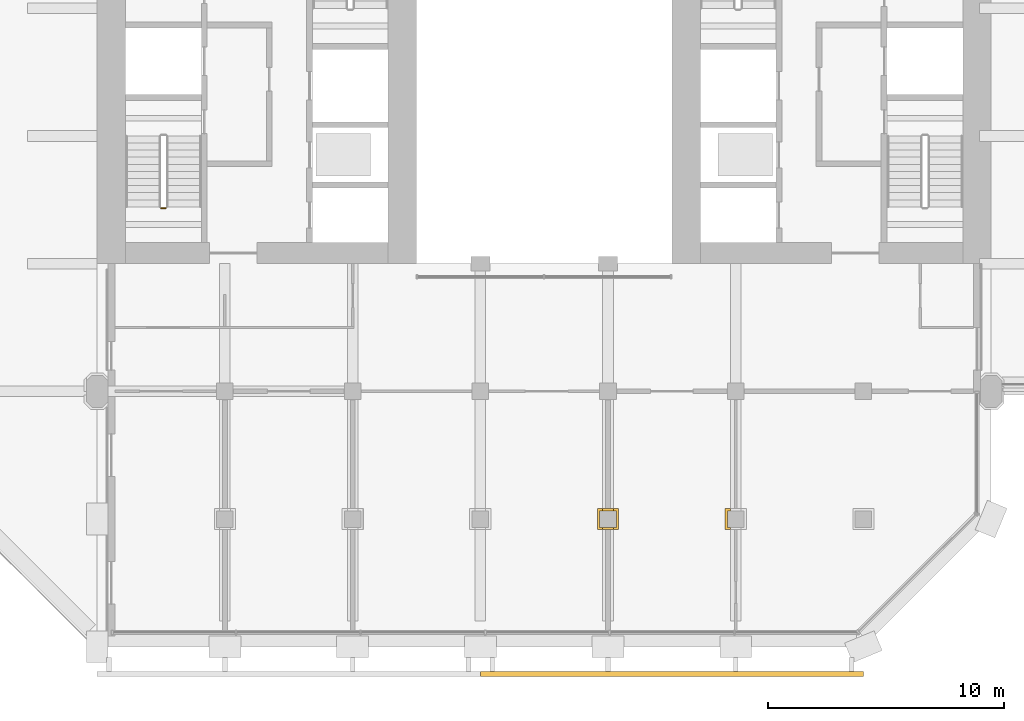
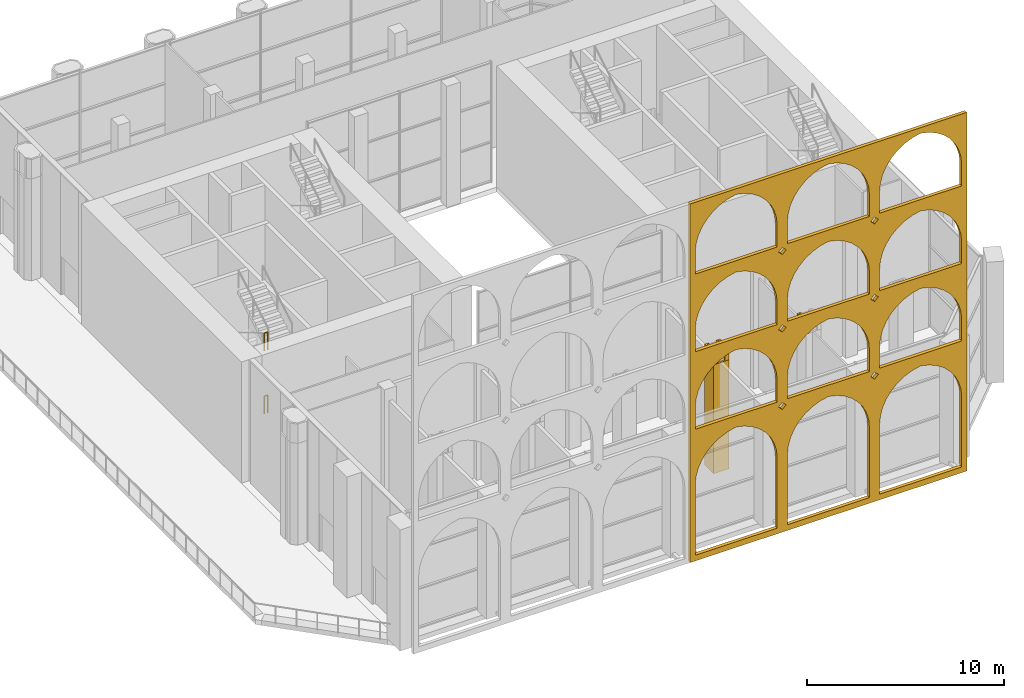
# One storey, part 14 of 20: 5 coverings, 2 railings.
"""IFC4 building model written with IfcOpenShell, lengths in metres."""

import ifcopenshell
import ifcopenshell.guid

model = None  # the IFC model being written
_history = None  # IfcOwnerHistory: only IFC2X3 demands one
_inside = {}  # id of a spatial element -> (the spatial element, [elements in it])
_under = {}  # id of a project, library or spatial element -> (it, [spatial elements below it])
_declared = {}  # id of a project -> (the project, [libraries it declares])
_typed = {}  # id of a type object -> (the type object, [elements of that type])
_made_of = {}  # id of a material, layer set ... -> (it, [elements and type objects made of it])


def new_model(schema):
    """Start an empty IFC model of exactly this schema.

    Asked for "IFC4X3", IfcOpenShell would pick the latest addendum, in which some entities
    have other attributes; the version numbers below select the first issue.
    IFC2X3 requires an IfcOwnerHistory on every rooted entity: one is made here for all.
    """
    global model, _history
    if schema == "IFC4X3":
        model = ifcopenshell.file(schema_version=(4, 3, 0, 0))
    else:
        model = ifcopenshell.file(schema=schema)
    _inside.clear()
    _under.clear()
    _declared.clear()
    _typed.clear()
    _made_of.clear()
    _history = None
    if model.schema == "IFC2X3":
        org = make("IfcOrganization", Name="unknown")
        user = make(
            "IfcPersonAndOrganization",
            ThePerson=make("IfcPerson", FamilyName="unknown"),
            TheOrganization=org,
        )
        app = make(
            "IfcApplication",
            ApplicationDeveloper=org,
            Version="unknown",
            ApplicationFullName="unknown",
            ApplicationIdentifier="unknown",
        )
        _history = make(
            "IfcOwnerHistory",
            OwningUser=user,
            OwningApplication=app,
            ChangeAction="ADDED",
            CreationDate=0,
        )
    return model


def make(cls, **values):
    """One entity of the class cls with the attributes given. An attribute that is None is left unset."""
    return model.create_entity(
        cls, **{name: value for name, value in values.items() if value is not None}
    )


def rooted(cls, **values):
    """An entity with a GlobalId (a new one), such as an element, a storey or a relation."""
    return make(cls, GlobalId=ifcopenshell.guid.new(), OwnerHistory=_history, **values)


def si_unit(unit_type, name, prefix=None):
    """IfcSIUnit, for example si_unit("LENGTHUNIT", "METRE", prefix="MILLI")."""
    return make("IfcSIUnit", UnitType=unit_type, Prefix=prefix, Name=name)


def assignment(units):
    """IfcUnitAssignment: the units of a project."""
    return None if units is None else make("IfcUnitAssignment", Units=units)


def point(xyz):
    """IfcCartesianPoint."""
    return None if xyz is None else make("IfcCartesianPoint", Coordinates=xyz)


def direction(xyz):
    """IfcDirection."""
    return None if xyz is None else make("IfcDirection", DirectionRatios=xyz)


def frame(location, z_axis=None, x_axis=None):
    """IfcAxis2Placement3D, a coordinate frame: its origin and axes. An axis left out is left unset."""
    return make(
        "IfcAxis2Placement3D",
        Location=point(location),
        Axis=direction(z_axis),
        RefDirection=direction(x_axis),
    )


def frame_2d(location, x_axis=None):
    """IfcAxis2Placement2D, a coordinate frame in the plane: its origin and x axis."""
    return make(
        "IfcAxis2Placement2D", Location=point(location), RefDirection=direction(x_axis)
    )


def origin():
    """The frame at (0, 0, 0) with its axes left unset."""
    return frame((0.0, 0.0, 0.0))


def origin_2d():
    """The frame at (0, 0) in the plane with its x axis left unset."""
    return frame_2d((0.0, 0.0))


def place(relative_to, where):
    """IfcLocalPlacement: puts the frame where relative to a parent placement (None: the world)."""
    return make(
        "IfcLocalPlacement", PlacementRelTo=relative_to, RelativePlacement=where
    )


def context(
    kind, dimensions, precision=None, world=None, true_north=None, identifier=None
):
    """IfcGeometricRepresentationContext, for example the 3D "Model" context."""
    return make(
        "IfcGeometricRepresentationContext",
        ContextIdentifier=identifier,
        ContextType=kind,
        CoordinateSpaceDimension=dimensions,
        Precision=precision,
        WorldCoordinateSystem=world,
        TrueNorth=true_north,
    )


def subcontext(parent, identifier, kind, view, scale=None):
    """IfcGeometricRepresentationSubContext, for example "Body" below "Model"."""
    return make(
        "IfcGeometricRepresentationSubContext",
        ContextIdentifier=identifier,
        ContextType=kind,
        ParentContext=parent,
        TargetScale=scale,
        TargetView=view,
    )


def project(units=None, contexts=None):
    """IfcProject with its units and contexts."""
    return rooted(
        "IfcProject",
        Name="project",
        RepresentationContexts=contexts,
        UnitsInContext=assignment(units),
    )


def spatial(cls, under=None, at=None, **own):
    """A site, building, storey or space (cls), placed at a placement, below another one or the project."""
    s = rooted(cls, ObjectPlacement=at, **own)
    if under is not None:
        _under.setdefault(under.id(), (under, []))[1].append(s)
    return s


def polyline(points):
    """IfcPolyline through the points."""
    return make("IfcPolyline", Points=[point(p) for p in points])


def profile(cls, at=None, kind="AREA", **sizes):
    """A parametric profile (cls). Its sizes go by their IFC names, for example OverallWidth=200.0."""
    return make(cls, ProfileType=kind, Position=at, **sizes)


def circle(**sizes):
    """IfcCircleProfileDef."""
    return profile("IfcCircleProfileDef", **sizes)


def outline(outer, holes=None, kind="AREA"):
    """IfcArbitraryClosedProfileDef: a profile drawn as a closed curve; with holes, ...WithVoids."""
    if holes is None:
        return make("IfcArbitraryClosedProfileDef", ProfileType=kind, OuterCurve=outer)
    return make(
        "IfcArbitraryProfileDefWithVoids",
        ProfileType=kind,
        OuterCurve=outer,
        InnerCurves=holes,
    )


def extrude(swept, where, along, depth):
    """IfcExtrudedAreaSolid: the profile swept, set in the frame where, extruded along a direction by depth."""
    return make(
        "IfcExtrudedAreaSolid",
        SweptArea=swept,
        Position=where,
        ExtrudedDirection=direction(along),
        Depth=depth,
    )


def shape(context_of_items, identifier, shape_type, items):
    """IfcShapeRepresentation: the items that make up one representation, for example the "Body"."""
    return make(
        "IfcShapeRepresentation",
        ContextOfItems=context_of_items,
        RepresentationIdentifier=identifier,
        RepresentationType=shape_type,
        Items=items,
    )


def material(Name=None, Category=None):
    """IfcMaterial."""
    return make("IfcMaterial", Name=Name, Category=Category)


def layer(
    of_material, thickness, ventilated=None, Name=None, Category=None, Priority=None
):
    """IfcMaterialLayer: one layer of a wall or slab, of a material (None: an air gap)."""
    return make(
        "IfcMaterialLayer",
        Material=of_material,
        LayerThickness=thickness,
        IsVentilated=ventilated,
        Name=Name,
        Category=Category,
        Priority=Priority,
    )


def layer_set(layers, Name=None):
    """IfcMaterialLayerSet."""
    return make("IfcMaterialLayerSet", MaterialLayers=layers, LayerSetName=Name)


def made_of(thing, what):
    """Note that an element or type object is made of a material, layer set ...; save() writes the relation."""
    if what is not None:
        _made_of.setdefault(what.id(), (what, []))[1].append(thing)
    return thing


def type_object(cls, material=None, **own):
    """A type object (cls), such as IfcWallType, which elements share."""
    return made_of(rooted(cls, **own), material)


def element(
    cls,
    number,
    at=None,
    inside=None,
    cuts=None,
    type_object=None,
    material=None,
    context=None,
    identifier="Body",
    shape_type=None,
    held_by="IfcProductDefinitionShape",
    body=None,
    shapes=None,
    **own,
):
    """One element of the class cls, such as IfcWall. Its Tag is "e" and its number.

    at: its placement. inside: the storey or other place that contains it. cuts: it is an
    opening in that element (IfcRelVoidsElement). A single representation is given by context,
    identifier, shape_type and body (its items); several are given by shapes. held_by: the class
    of the entity that holds the representations. save() writes the other relations.
    """
    e = rooted(cls, Tag="e%d" % number, ObjectPlacement=at, **own)
    if body is not None:
        shapes = [shape(context, identifier, shape_type, body)]
    if shapes is not None:
        e.Representation = make(held_by, Representations=shapes)
    if inside is not None:
        _inside.setdefault(inside.id(), (inside, []))[1].append(e)
    if cuts is not None:
        rooted(
            "IfcRelVoidsElement", RelatingBuildingElement=cuts, RelatedOpeningElement=e
        )
    if type_object is not None:
        _typed.setdefault(type_object.id(), (type_object, []))[1].append(e)
    return made_of(e, material)


def aggregate(whole, parts):
    """IfcRelAggregates: a whole, such as a stair, and the parts it consists of."""
    return rooted("IfcRelAggregates", RelatingObject=whole, RelatedObjects=parts)


def save(model, path):
    """Write the relations noted so far, then the file.

    IfcRelAggregates (storeys below a building ...), IfcRelContainedInSpatialStructure (elements
    in a storey), IfcRelDefinesByType, IfcRelAssociatesMaterial and IfcRelDeclares: one each for
    every whole, place, type object, material and project.
    """
    for whole, parts in _under.values():
        aggregate(whole, parts)
    for where, things in _inside.values():
        rooted(
            "IfcRelContainedInSpatialStructure",
            RelatedElements=things,
            RelatingStructure=where,
        )
    for kind, things in _typed.values():
        rooted("IfcRelDefinesByType", RelatedObjects=things, RelatingType=kind)
    for what, things in _made_of.values():
        rooted("IfcRelAssociatesMaterial", RelatedObjects=things, RelatingMaterial=what)
    for by, libraries in _declared.values():
        rooted("IfcRelDeclares", RelatingContext=by, RelatedDefinitions=libraries)
    model.write(path)


model = new_model("IFC4")

# Units and contexts
model_context = context("Model", 3, precision=1e-05, world=origin(), true_north=direction((0.0, 1.0)))
body_context = subcontext(model_context, "Body", "Model", "MODEL_VIEW")
ifc_project = project(units=[si_unit("LENGTHUNIT", "METRE"), si_unit("AREAUNIT", "SQUARE_METRE"), si_unit("VOLUMEUNIT", "CUBIC_METRE"), si_unit("PLANEANGLEUNIT", "RADIAN"), si_unit("MASSUNIT", "GRAM", prefix="KILO")], contexts=[model_context])

# Site, building, storey
site_placement = place(None, origin())
site = spatial("IfcSite", under=ifc_project, at=site_placement, CompositionType="ELEMENT")
building_placement = place(site_placement, origin())
building = spatial("IfcBuilding", under=site, at=building_placement, Name="Tabaq Tower and Sports Hall", CompositionType="ELEMENT")
storey_placement = place(building_placement, frame((0.0, 0.0, 243.10009765625)))
storey = spatial("IfcBuildingStorey", under=building, at=storey_placement, Name="L60", CompositionType="ELEMENT", Elevation=243.10009765625)

# Coverings
ifc_material_1 = material(Name="Precast concrete C60/75", Category="concrete")
ifc_layer_1 = layer(ifc_material_1, 0.10009765625)
ifc_layer_set_1 = layer_set([ifc_layer_1], Name="Column cladding 100")
covering_type_1 = type_object("IfcCoveringType", Name="Column cladding 100", PredefinedType="CLADDING", material=ifc_layer_set_1)
covering_1_placement = place(storey_placement, origin())
element("IfcCovering", 1, at=covering_1_placement, inside=storey, type_object=covering_type_1, Name="Column cladding L60 CC-6B-S2", PredefinedType="CLADDING", context=body_context, shape_type="SweptSolid", body=[
    extrude(outline(polyline([(26.55029296875, 5.849609375), (27.44970703125, 5.849609375), (27.44970703125, 4.9501953125), (26.55029296875, 4.9501953125), (26.55029296875, 5.849609375)]), holes=[polyline([(27.350341796875, 5.0498046875), (27.350341796875, 5.750244140625), (26.649658203125, 5.750244140625), (26.649658203125, 5.0498046875), (27.350341796875, 5.0498046875)])]), origin(), (0.0, 0.0, 1.0), 6.75),
])
covering_2_placement = place(storey_placement, frame((0.0, 0.0, 6.75)))
element("IfcCovering", 2, at=covering_2_placement, inside=storey, type_object=covering_type_1, Name="Column cladding L60 CC-6B-S2 head", PredefinedType="CLADDING", context=body_context, shape_type="SweptSolid", body=[
    extrude(outline(polyline([(26.7744140625, 5.04931640625), (26.7744140625, 4.95068359375), (26.550537109375, 4.95068359375), (26.550537109375, 5.849365234375), (26.7744140625, 5.849365234375), (26.7744140625, 5.75048828125), (26.6494140625, 5.75048828125), (26.6494140625, 5.04931640625), (26.7744140625, 5.04931640625)])), origin(), (0.0, 0.0, 1.0), 0.75),
])
covering_3_placement = place(storey_placement, frame((0.0, 0.0, 6.75)))
element("IfcCovering", 3, at=covering_3_placement, inside=storey, type_object=covering_type_1, Name="Column cladding L60 CC-6B-S2 head 2", PredefinedType="CLADDING", context=body_context, shape_type="SweptSolid", body=[
    extrude(outline(polyline([(27.2255859375, 5.04931640625), (27.3505859375, 5.04931640625), (27.3505859375, 5.75048828125), (27.2255859375, 5.75048828125), (27.2255859375, 5.849365234375), (27.449462890625, 5.849365234375), (27.449462890625, 4.95068359375), (27.2255859375, 4.95068359375), (27.2255859375, 5.04931640625)])), origin(), (0.0, 0.0, 1.0), 0.75),
])
covering_4_placement = place(storey_placement, frame((0.0, 0.0, 6.75)))
element("IfcCovering", 4, at=covering_4_placement, inside=storey, type_object=covering_type_1, Name="Column cladding L60 CC-7B-S2 head 2", PredefinedType="CLADDING", context=body_context, shape_type="SweptSolid", body=[
    extrude(outline(polyline([(32.17431640625, 5.04931640625), (32.17431640625, 4.95068359375), (31.95068359375, 4.95068359375), (31.95068359375, 5.849365234375), (32.17431640625, 5.849365234375), (32.17431640625, 5.75048828125), (32.04931640625, 5.75048828125), (32.04931640625, 5.04931640625), (32.17431640625, 5.04931640625)])), origin(), (0.0, 0.0, 1.0), 0.75),
])

# Railings
ifc_material_2 = material(Name="Stainless steel", Category="steel")
railing_type = type_object("IfcRailingType", Name="Stair guard", PredefinedType="GUARDRAIL", material=ifc_material_2)
for number, where, name in (
    (5, (8.10009765625, 18.550048828125, 1.949951171875), "L60 ST1 stair guard 2"),
    (6, (8.10009765625, 18.550048828125, 5.849853515625), "L60 ST1 stair guard 6"),
):
    element("IfcRailing", number, at=place(storey_placement, frame(where)), inside=storey, type_object=railing_type, Name=name, PredefinedType="GUARDRAIL", context=body_context, shape_type="SweptSolid", body=[
        extrude(circle(Radius=0.02392578125, at=origin_2d()), frame((0.0, 0.0, 1.076171875), z_axis=(1.0, 0.0, 0.0), x_axis=(0.0, 1.0, 0.0)), (0.0, 0.0, 1.0), 0.199951171875),
        extrude(circle(Radius=0.02099609375, at=origin_2d()), origin(), (0.0, 0.0, 1.0), 1.052001953125),
        extrude(circle(Radius=0.02099609375, at=origin_2d()), frame((0.199951171875, 0.0, 0.0)), (0.0, 0.0, 1.0), 1.052001953125),
    ])

# Covering
ifc_material_3 = material(Name="White precast concrete C60/75 pierced screen", Category="concrete")
ifc_layer_2 = layer(ifc_material_3, 0.199951171875)
ifc_layer_set_2 = layer_set([ifc_layer_2], Name="TRACERY SCREEN 200 C60/75")
covering_type_2 = type_object("IfcCoveringType", Name="TRACERY SCREEN 200 C60/75", PredefinedType="CLADDING", material=ifc_layer_set_2)
covering_5_placement = place(storey_placement, frame((21.60009765625, -1.14990234375, 0.0), z_axis=(0.0, 0.0, 1.0), x_axis=(1.0, 0.0, 0.0)))
element("IfcCovering", 7, at=covering_5_placement, inside=storey, type_object=covering_type_2, Name="Tracery screen S2 S L60-L63", PredefinedType="CLADDING", context=body_context, shape_type="SweptSolid", body=[
    extrude(outline(polyline([(0.0, 0.0), (16.199951171875, 0.0), (16.199951171875, 22.199951171875), (0.0, 22.199951171875), (0.0, 0.0)]), holes=[polyline([(0.300048828125, 0.349853515625), (5.10009765625, 0.349853515625), (5.10009765625, 4.68994140625), (5.055419921875, 5.18603515625), (4.92333984375, 5.666015625), (4.7080078125, 6.115234375), (4.416015625, 6.5185546875), (4.05712890625, 6.86376953125), (3.642333984375, 7.139404296875), (3.18505859375, 7.3369140625), (2.699951171875, 7.449951171875), (2.21484375, 7.3369140625), (1.7578125, 7.139404296875), (1.343017578125, 6.86376953125), (0.98388671875, 6.5185546875), (0.69189453125, 6.115234375), (0.4765625, 5.666015625), (0.344482421875, 5.18603515625), (0.300048828125, 4.68994140625), (0.300048828125, 0.349853515625)]), polyline([(5.699951171875, 0.349853515625), (10.5, 0.349853515625), (10.5, 4.68994140625), (10.45556640625, 5.18603515625), (10.323486328125, 5.666015625), (10.10791015625, 6.115234375), (9.816162109375, 6.5185546875), (9.45703125, 6.86376953125), (9.042236328125, 7.139404296875), (8.5849609375, 7.3369140625), (8.10009765625, 7.449951171875), (7.614990234375, 7.3369140625), (7.15771484375, 7.139404296875), (6.742919921875, 6.86376953125), (6.384033203125, 6.5185546875), (6.092041015625, 6.115234375), (5.87646484375, 5.666015625), (5.744384765625, 5.18603515625), (5.699951171875, 4.68994140625), (5.699951171875, 0.349853515625)]), polyline([(11.10009765625, 0.349853515625), (15.89990234375, 0.349853515625), (15.89990234375, 4.68994140625), (15.85546875, 5.18603515625), (15.723388671875, 5.666015625), (15.508056640625, 6.115234375), (15.216064453125, 6.5185546875), (14.85693359375, 6.86376953125), (14.442138671875, 7.139404296875), (13.985107421875, 7.3369140625), (13.5, 7.449951171875), (13.014892578125, 7.3369140625), (12.557861328125, 7.139404296875), (12.14306640625, 6.86376953125), (11.783935546875, 6.5185546875), (11.491943359375, 6.115234375), (11.276611328125, 5.666015625), (11.14453125, 5.18603515625), (11.10009765625, 4.68994140625), (11.10009765625, 0.349853515625)]), polyline([(0.300048828125, 8.14990234375), (5.10009765625, 8.14990234375), (5.10009765625, 9.489990234375), (5.055419921875, 9.98583984375), (4.92333984375, 10.466064453125), (4.7080078125, 10.9150390625), (4.416015625, 11.318603515625), (4.05712890625, 11.663818359375), (3.642333984375, 11.939453125), (3.18505859375, 12.136962890625), (2.699951171875, 12.25), (2.21484375, 12.136962890625), (1.7578125, 11.939453125), (1.343017578125, 11.663818359375), (0.98388671875, 11.318603515625), (0.69189453125, 10.9150390625), (0.4765625, 10.466064453125), (0.344482421875, 9.98583984375), (0.300048828125, 9.489990234375), (0.300048828125, 8.14990234375)]), polyline([(5.699951171875, 8.14990234375), (10.5, 8.14990234375), (10.5, 9.489990234375), (10.45556640625, 9.98583984375), (10.323486328125, 10.466064453125), (10.10791015625, 10.9150390625), (9.816162109375, 11.318603515625), (9.45703125, 11.663818359375), (9.042236328125, 11.939453125), (8.5849609375, 12.136962890625), (8.10009765625, 12.25), (7.614990234375, 12.136962890625), (7.15771484375, 11.939453125), (6.742919921875, 11.663818359375), (6.384033203125, 11.318603515625), (6.092041015625, 10.9150390625), (5.87646484375, 10.466064453125), (5.744384765625, 9.98583984375), (5.699951171875, 9.489990234375), (5.699951171875, 8.14990234375)]), polyline([(11.10009765625, 8.14990234375), (15.89990234375, 8.14990234375), (15.89990234375, 9.489990234375), (15.85546875, 9.98583984375), (15.723388671875, 10.466064453125), (15.508056640625, 10.9150390625), (15.216064453125, 11.318603515625), (14.85693359375, 11.663818359375), (14.442138671875, 11.939453125), (13.985107421875, 12.136962890625), (13.5, 12.25), (13.014892578125, 12.136962890625), (12.557861328125, 11.939453125), (12.14306640625, 11.663818359375), (11.783935546875, 11.318603515625), (11.491943359375, 10.9150390625), (11.276611328125, 10.466064453125), (11.14453125, 9.98583984375), (11.10009765625, 9.489990234375), (11.10009765625, 8.14990234375)]), polyline([(0.300048828125, 12.949951171875), (5.10009765625, 12.949951171875), (5.10009765625, 14.289794921875), (5.055419921875, 14.785888671875), (4.92333984375, 15.26611328125), (4.7080078125, 15.715087890625), (4.416015625, 16.11865234375), (4.05712890625, 16.4638671875), (3.642333984375, 16.739501953125), (3.18505859375, 16.93701171875), (2.699951171875, 17.0498046875), (2.21484375, 16.93701171875), (1.7578125, 16.739501953125), (1.343017578125, 16.4638671875), (0.98388671875, 16.11865234375), (0.69189453125, 15.715087890625), (0.4765625, 15.26611328125), (0.344482421875, 14.785888671875), (0.300048828125, 14.289794921875), (0.300048828125, 12.949951171875)]), polyline([(5.699951171875, 12.949951171875), (10.5, 12.949951171875), (10.5, 14.289794921875), (10.45556640625, 14.785888671875), (10.323486328125, 15.26611328125), (10.10791015625, 15.715087890625), (9.816162109375, 16.11865234375), (9.45703125, 16.4638671875), (9.042236328125, 16.739501953125), (8.5849609375, 16.93701171875), (8.10009765625, 17.0498046875), (7.614990234375, 16.93701171875), (7.15771484375, 16.739501953125), (6.742919921875, 16.4638671875), (6.384033203125, 16.11865234375), (6.092041015625, 15.715087890625), (5.87646484375, 15.26611328125), (5.744384765625, 14.785888671875), (5.699951171875, 14.289794921875), (5.699951171875, 12.949951171875)]), polyline([(11.10009765625, 12.949951171875), (15.89990234375, 12.949951171875), (15.89990234375, 14.289794921875), (15.85546875, 14.785888671875), (15.723388671875, 15.26611328125), (15.508056640625, 15.715087890625), (15.216064453125, 16.11865234375), (14.85693359375, 16.4638671875), (14.442138671875, 16.739501953125), (13.985107421875, 16.93701171875), (13.5, 17.0498046875), (13.014892578125, 16.93701171875), (12.557861328125, 16.739501953125), (12.14306640625, 16.4638671875), (11.783935546875, 16.11865234375), (11.491943359375, 15.715087890625), (11.276611328125, 15.26611328125), (11.14453125, 14.785888671875), (11.10009765625, 14.289794921875), (11.10009765625, 12.949951171875)]), polyline([(0.300048828125, 17.75), (5.10009765625, 17.75), (5.10009765625, 19.08984375), (5.055419921875, 19.5859375), (4.92333984375, 20.066162109375), (4.7080078125, 20.51513671875), (4.416015625, 20.918701171875), (4.05712890625, 21.263671875), (3.642333984375, 21.53955078125), (3.18505859375, 21.737060546875), (2.699951171875, 21.849853515625), (2.21484375, 21.737060546875), (1.7578125, 21.53955078125), (1.343017578125, 21.263671875), (0.98388671875, 20.918701171875), (0.69189453125, 20.51513671875), (0.4765625, 20.066162109375), (0.344482421875, 19.5859375), (0.300048828125, 19.08984375), (0.300048828125, 17.75)]), polyline([(5.699951171875, 17.75), (10.5, 17.75), (10.5, 19.08984375), (10.45556640625, 19.5859375), (10.323486328125, 20.066162109375), (10.10791015625, 20.51513671875), (9.816162109375, 20.918701171875), (9.45703125, 21.263671875), (9.042236328125, 21.53955078125), (8.5849609375, 21.737060546875), (8.10009765625, 21.849853515625), (7.614990234375, 21.737060546875), (7.15771484375, 21.53955078125), (6.742919921875, 21.263671875), (6.384033203125, 20.918701171875), (6.092041015625, 20.51513671875), (5.87646484375, 20.066162109375), (5.744384765625, 19.5859375), (5.699951171875, 19.08984375), (5.699951171875, 17.75)]), polyline([(11.10009765625, 17.75), (15.89990234375, 17.75), (15.89990234375, 19.08984375), (15.85546875, 19.5859375), (15.723388671875, 20.066162109375), (15.508056640625, 20.51513671875), (15.216064453125, 20.918701171875), (14.85693359375, 21.263671875), (14.442138671875, 21.53955078125), (13.985107421875, 21.737060546875), (13.5, 21.849853515625), (13.014892578125, 21.737060546875), (12.557861328125, 21.53955078125), (12.14306640625, 21.263671875), (11.783935546875, 20.918701171875), (11.491943359375, 20.51513671875), (11.276611328125, 20.066162109375), (11.14453125, 19.5859375), (11.10009765625, 19.08984375), (11.10009765625, 17.75)]), polyline([(5.6201171875, 7.7998046875), (5.39990234375, 8.02001953125), (5.179931640625, 7.7998046875), (5.39990234375, 7.579833984375), (5.6201171875, 7.7998046875)]), polyline([(11.02001953125, 7.7998046875), (10.800048828125, 8.02001953125), (10.580078125, 7.7998046875), (10.800048828125, 7.579833984375), (11.02001953125, 7.7998046875)]), polyline([(5.6201171875, 12.599853515625), (5.39990234375, 12.81982421875), (5.179931640625, 12.599853515625), (5.39990234375, 12.3798828125), (5.6201171875, 12.599853515625)]), polyline([(11.02001953125, 12.599853515625), (10.800048828125, 12.81982421875), (10.580078125, 12.599853515625), (10.800048828125, 12.3798828125), (11.02001953125, 12.599853515625)]), polyline([(5.6201171875, 17.39990234375), (5.39990234375, 17.619873046875), (5.179931640625, 17.39990234375), (5.39990234375, 17.179931640625), (5.6201171875, 17.39990234375)]), polyline([(11.02001953125, 17.39990234375), (10.800048828125, 17.619873046875), (10.580078125, 17.39990234375), (10.800048828125, 17.179931640625), (11.02001953125, 17.39990234375)])]), frame((0.0, 0.10009765625, 0.0), z_axis=(0.0, -1.0, 0.0), x_axis=(1.0, 0.0, 0.0)), (0.0, 0.0, 1.0), 0.199951171875),
])

save(model, "model.ifc")
